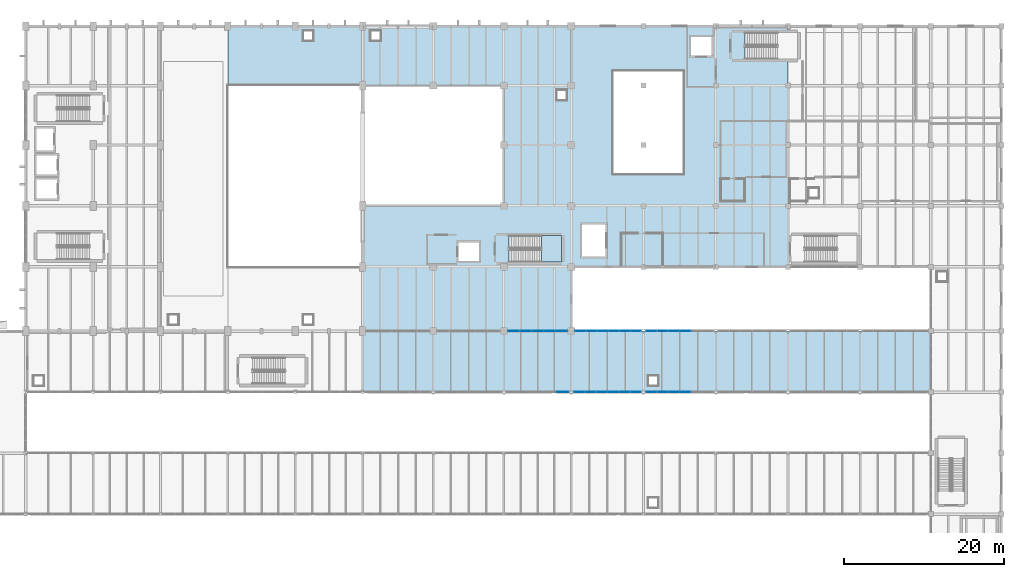
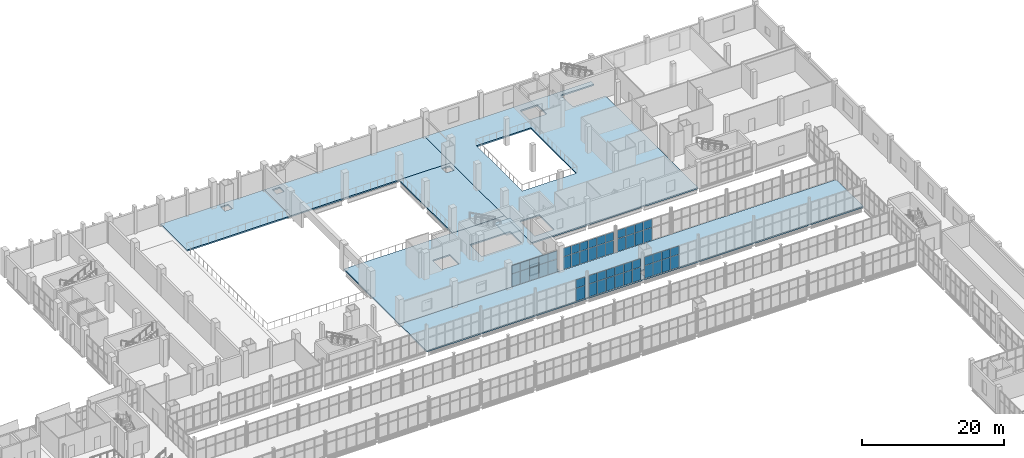
# One storey, part 136 of 172: 52 plates, 7 slabs, 7 elements without a shape of their own.
"""IFC4 building model written with IfcOpenShell, lengths in metres."""

from ifc_helpers import new_model, si_unit, direction, frame, origin, origin_2d, place, context, subcontext, project, spatial, polyline, rectangle, outline, extrude, material, layer, layer_set, type_object, element, aggregate, save


model = new_model("IFC4")

# Units and contexts
model_context = context("Model", 3, precision=1e-05, world=origin(), true_north=direction((0.0, 1.0)))
body_context = subcontext(model_context, "Body", "Model", "MODEL_VIEW")
ifc_project = project(units=[si_unit("LENGTHUNIT", "METRE"), si_unit("AREAUNIT", "SQUARE_METRE"), si_unit("VOLUMEUNIT", "CUBIC_METRE"), si_unit("PLANEANGLEUNIT", "RADIAN"), si_unit("MASSUNIT", "GRAM", prefix="KILO")], contexts=[model_context])

# Site, building, storey
site_placement = place(None, origin())
site = spatial("IfcSite", under=ifc_project, at=site_placement, CompositionType="ELEMENT")
building_placement = place(site_placement, origin())
building = spatial("IfcBuilding", under=site, at=building_placement, Name="Shengluoqiao Park Theatre", CompositionType="ELEMENT")
storey_placement = place(building_placement, frame((0.0, 0.0, 5.39990234375)))
storey = spatial("IfcBuildingStorey", under=building, at=storey_placement, Name="L01", CompositionType="ELEMENT", Elevation=5.39990234375)

# Curtain wall, plates
ifc_material_1 = material(Name="Aluminium 6063-T6", Category="aluminium")
curtain_wall_type = type_object("IfcCurtainWallType", Name="ENV-CW-BRIDGE", PredefinedType="NOTDEFINED", material=ifc_material_1)
curtain_wall_1_placement = place(storey_placement, origin())
curtain_wall_1 = element("IfcCurtainWall", 1, at=curtain_wall_1_placement, inside=storey, type_object=curtain_wall_type, Name="L01 Curtain Wall CWX-L01-0093", PredefinedType="NOTDEFINED")
ifc_material_2 = material(Name="Insulated glass", Category="glass")
ifc_layer_1 = layer(ifc_material_2, 0.0380859375, Name="Insulated glass")
ifc_layer_set_1 = layer_set([ifc_layer_1], Name="Insulated glass")
plate_type = type_object("IfcPlateType", Name="ENV-GLZ-GL-38", PredefinedType="CURTAIN_PANEL", material=ifc_layer_set_1)
plate_1_placement = place(storey_placement, frame((111.338623046875, 68.39990234375, 0.06005859375), z_axis=(0.0, 0.0, 1.0), x_axis=(1.0, 0.0, 0.0)))
plate_1 = element("IfcPlate", 2, at=plate_1_placement, type_object=plate_type, Name="CW-03 panel 5.1", PredefinedType="CURTAIN_PANEL", context=body_context, shape_type="SweptSolid", body=[
    extrude(rectangle(XDim=1.48681640625, YDim=0.0380859375, at=origin_2d()), origin(), (0.0, 0.0, 1.0), 2.173095703125),
])
plate_2_placement = place(storey_placement, frame((111.338623046875, 68.39990234375, 2.293212890625), z_axis=(0.0, 0.0, 1.0), x_axis=(1.0, 0.0, 0.0)))
plate_2 = element("IfcPlate", 3, at=plate_2_placement, type_object=plate_type, Name="CW-03 panel 5.2", PredefinedType="CURTAIN_PANEL", context=body_context, shape_type="SweptSolid", body=[
    extrude(rectangle(XDim=1.48681640625, YDim=0.0380859375, at=origin_2d()), origin(), (0.0, 0.0, 1.0), 1.4189453125),
])
aggregate(curtain_wall_1, [plate_1, plate_2])

curtain_wall_2_placement = place(storey_placement, origin())
curtain_wall_2 = element("IfcCurtainWall", 4, at=curtain_wall_2_placement, inside=storey, type_object=curtain_wall_type, Name="L01 Curtain Wall CWX-L01-0094", PredefinedType="NOTDEFINED")
plate_3_placement = place(storey_placement, frame((113.3798828125, 68.39990234375, 0.06005859375), z_axis=(0.0, 0.0, 1.0), x_axis=(1.0, 0.0, 0.0)))
plate_3 = element("IfcPlate", 5, at=plate_3_placement, type_object=plate_type, Name="CW-03 panel 1.1", PredefinedType="CURTAIN_PANEL", context=body_context, shape_type="SweptSolid", body=[
    extrude(rectangle(XDim=1.323974609375, YDim=0.0380859375, at=origin_2d()), origin(), (0.0, 0.0, 1.0), 2.173095703125),
])
plate_4_placement = place(storey_placement, frame((113.3798828125, 68.39990234375, 2.293212890625), z_axis=(0.0, 0.0, 1.0), x_axis=(1.0, 0.0, 0.0)))
plate_4 = element("IfcPlate", 6, at=plate_4_placement, type_object=plate_type, Name="CW-03 panel 1.2", PredefinedType="CURTAIN_PANEL", context=body_context, shape_type="SweptSolid", body=[
    extrude(rectangle(XDim=1.323974609375, YDim=0.0380859375, at=origin_2d()), origin(), (0.0, 0.0, 1.0), 1.4189453125),
])
plate_5_placement = place(storey_placement, frame((114.779052734375, 68.39990234375, 0.06005859375), z_axis=(0.0, 0.0, 1.0), x_axis=(1.0, 0.0, 0.0)))
plate_5 = element("IfcPlate", 7, at=plate_5_placement, type_object=plate_type, Name="CW-03 panel 2.1", PredefinedType="CURTAIN_PANEL", context=body_context, shape_type="SweptSolid", body=[
    extrude(rectangle(XDim=1.35400390625, YDim=0.0380859375, at=origin_2d()), origin(), (0.0, 0.0, 1.0), 2.173095703125),
])
plate_6_placement = place(storey_placement, frame((114.779052734375, 68.39990234375, 2.293212890625), z_axis=(0.0, 0.0, 1.0), x_axis=(1.0, 0.0, 0.0)))
plate_6 = element("IfcPlate", 8, at=plate_6_placement, type_object=plate_type, Name="CW-03 panel 2.2", PredefinedType="CURTAIN_PANEL", context=body_context, shape_type="SweptSolid", body=[
    extrude(rectangle(XDim=1.35400390625, YDim=0.0380859375, at=origin_2d()), origin(), (0.0, 0.0, 1.0), 1.4189453125),
])
plate_7_placement = place(storey_placement, frame((116.193115234375, 68.39990234375, 0.06005859375), z_axis=(0.0, 0.0, 1.0), x_axis=(1.0, 0.0, 0.0)))
plate_7 = element("IfcPlate", 9, at=plate_7_placement, type_object=plate_type, Name="CW-03 panel 3.1", PredefinedType="CURTAIN_PANEL", context=body_context, shape_type="SweptSolid", body=[
    extrude(rectangle(XDim=1.35400390625, YDim=0.0380859375, at=origin_2d()), origin(), (0.0, 0.0, 1.0), 2.173095703125),
])
plate_8_placement = place(storey_placement, frame((116.193115234375, 68.39990234375, 2.293212890625), z_axis=(0.0, 0.0, 1.0), x_axis=(1.0, 0.0, 0.0)))
plate_8 = element("IfcPlate", 10, at=plate_8_placement, type_object=plate_type, Name="CW-03 panel 3.2", PredefinedType="CURTAIN_PANEL", context=body_context, shape_type="SweptSolid", body=[
    extrude(rectangle(XDim=1.35400390625, YDim=0.0380859375, at=origin_2d()), origin(), (0.0, 0.0, 1.0), 1.4189453125),
])
plate_9_placement = place(storey_placement, frame((117.60693359375, 68.39990234375, 0.06005859375), z_axis=(0.0, 0.0, 1.0), x_axis=(1.0, 0.0, 0.0)))
plate_9 = element("IfcPlate", 11, at=plate_9_placement, type_object=plate_type, Name="CW-03 panel 4.1", PredefinedType="CURTAIN_PANEL", context=body_context, shape_type="SweptSolid", body=[
    extrude(rectangle(XDim=1.35400390625, YDim=0.0380859375, at=origin_2d()), origin(), (0.0, 0.0, 1.0), 2.173095703125),
])
plate_10_placement = place(storey_placement, frame((117.60693359375, 68.39990234375, 2.293212890625), z_axis=(0.0, 0.0, 1.0), x_axis=(1.0, 0.0, 0.0)))
plate_10 = element("IfcPlate", 12, at=plate_10_placement, type_object=plate_type, Name="CW-03 panel 4.2", PredefinedType="CURTAIN_PANEL", context=body_context, shape_type="SweptSolid", body=[
    extrude(rectangle(XDim=1.35400390625, YDim=0.0380859375, at=origin_2d()), origin(), (0.0, 0.0, 1.0), 1.4189453125),
])
plate_11_placement = place(storey_placement, frame((119.02099609375, 68.39990234375, 0.06005859375), z_axis=(0.0, 0.0, 1.0), x_axis=(1.0, 0.0, 0.0)))
plate_11 = element("IfcPlate", 13, at=plate_11_placement, type_object=plate_type, Name="CW-03 panel 5.1", PredefinedType="CURTAIN_PANEL", context=body_context, shape_type="SweptSolid", body=[
    extrude(rectangle(XDim=1.35400390625, YDim=0.0380859375, at=origin_2d()), origin(), (0.0, 0.0, 1.0), 2.173095703125),
])
plate_12_placement = place(storey_placement, frame((119.02099609375, 68.39990234375, 2.293212890625), z_axis=(0.0, 0.0, 1.0), x_axis=(1.0, 0.0, 0.0)))
plate_12 = element("IfcPlate", 14, at=plate_12_placement, type_object=plate_type, Name="CW-03 panel 5.2", PredefinedType="CURTAIN_PANEL", context=body_context, shape_type="SweptSolid", body=[
    extrude(rectangle(XDim=1.35400390625, YDim=0.0380859375, at=origin_2d()), origin(), (0.0, 0.0, 1.0), 1.4189453125),
])
plate_13_placement = place(storey_placement, frame((120.419921875, 68.39990234375, 0.06005859375), z_axis=(0.0, 0.0, 1.0), x_axis=(1.0, 0.0, 0.0)))
plate_13 = element("IfcPlate", 15, at=plate_13_placement, type_object=plate_type, Name="CW-03 panel 6.1", PredefinedType="CURTAIN_PANEL", context=body_context, shape_type="SweptSolid", body=[
    extrude(rectangle(XDim=1.323974609375, YDim=0.0380859375, at=origin_2d()), origin(), (0.0, 0.0, 1.0), 2.173095703125),
])
plate_14_placement = place(storey_placement, frame((120.419921875, 68.39990234375, 2.293212890625), z_axis=(0.0, 0.0, 1.0), x_axis=(1.0, 0.0, 0.0)))
plate_14 = element("IfcPlate", 16, at=plate_14_placement, type_object=plate_type, Name="CW-03 panel 6.2", PredefinedType="CURTAIN_PANEL", context=body_context, shape_type="SweptSolid", body=[
    extrude(rectangle(XDim=1.323974609375, YDim=0.0380859375, at=origin_2d()), origin(), (0.0, 0.0, 1.0), 1.4189453125),
])
aggregate(curtain_wall_2, [plate_3, plate_4, plate_5, plate_6, plate_7, plate_8, plate_9, plate_10, plate_11, plate_12, plate_13, plate_14])

curtain_wall_3_placement = place(storey_placement, origin())
curtain_wall_3 = element("IfcCurtainWall", 17, at=curtain_wall_3_placement, inside=storey, type_object=curtain_wall_type, Name="L01 Curtain Wall CWX-L01-0095", PredefinedType="NOTDEFINED")
plate_15_placement = place(storey_placement, frame((122.3798828125, 68.39990234375, 0.06005859375), z_axis=(0.0, 0.0, 1.0), x_axis=(1.0, 0.0, 0.0)))
plate_15 = element("IfcPlate", 18, at=plate_15_placement, type_object=plate_type, Name="CW-03 panel 1.1", PredefinedType="CURTAIN_PANEL", context=body_context, shape_type="SweptSolid", body=[
    extrude(rectangle(XDim=1.323974609375, YDim=0.0380859375, at=origin_2d()), origin(), (0.0, 0.0, 1.0), 2.173095703125),
])
plate_16_placement = place(storey_placement, frame((122.3798828125, 68.39990234375, 2.293212890625), z_axis=(0.0, 0.0, 1.0), x_axis=(1.0, 0.0, 0.0)))
plate_16 = element("IfcPlate", 19, at=plate_16_placement, type_object=plate_type, Name="CW-03 panel 1.2", PredefinedType="CURTAIN_PANEL", context=body_context, shape_type="SweptSolid", body=[
    extrude(rectangle(XDim=1.323974609375, YDim=0.0380859375, at=origin_2d()), origin(), (0.0, 0.0, 1.0), 1.4189453125),
])
plate_17_placement = place(storey_placement, frame((123.779052734375, 68.39990234375, 0.06005859375), z_axis=(0.0, 0.0, 1.0), x_axis=(1.0, 0.0, 0.0)))
plate_17 = element("IfcPlate", 20, at=plate_17_placement, type_object=plate_type, Name="CW-03 panel 2.1", PredefinedType="CURTAIN_PANEL", context=body_context, shape_type="SweptSolid", body=[
    extrude(rectangle(XDim=1.35400390625, YDim=0.0380859375, at=origin_2d()), origin(), (0.0, 0.0, 1.0), 2.173095703125),
])
plate_18_placement = place(storey_placement, frame((123.779052734375, 68.39990234375, 2.293212890625), z_axis=(0.0, 0.0, 1.0), x_axis=(1.0, 0.0, 0.0)))
plate_18 = element("IfcPlate", 21, at=plate_18_placement, type_object=plate_type, Name="CW-03 panel 2.2", PredefinedType="CURTAIN_PANEL", context=body_context, shape_type="SweptSolid", body=[
    extrude(rectangle(XDim=1.35400390625, YDim=0.0380859375, at=origin_2d()), origin(), (0.0, 0.0, 1.0), 1.4189453125),
])
plate_19_placement = place(storey_placement, frame((125.193115234375, 68.39990234375, 0.06005859375), z_axis=(0.0, 0.0, 1.0), x_axis=(1.0, 0.0, 0.0)))
plate_19 = element("IfcPlate", 22, at=plate_19_placement, type_object=plate_type, Name="CW-03 panel 3.1", PredefinedType="CURTAIN_PANEL", context=body_context, shape_type="SweptSolid", body=[
    extrude(rectangle(XDim=1.35400390625, YDim=0.0380859375, at=origin_2d()), origin(), (0.0, 0.0, 1.0), 2.173095703125),
])
plate_20_placement = place(storey_placement, frame((125.193115234375, 68.39990234375, 2.293212890625), z_axis=(0.0, 0.0, 1.0), x_axis=(1.0, 0.0, 0.0)))
plate_20 = element("IfcPlate", 23, at=plate_20_placement, type_object=plate_type, Name="CW-03 panel 3.2", PredefinedType="CURTAIN_PANEL", context=body_context, shape_type="SweptSolid", body=[
    extrude(rectangle(XDim=1.35400390625, YDim=0.0380859375, at=origin_2d()), origin(), (0.0, 0.0, 1.0), 1.4189453125),
])
plate_21_placement = place(storey_placement, frame((126.60693359375, 68.39990234375, 0.06005859375), z_axis=(0.0, 0.0, 1.0), x_axis=(1.0, 0.0, 0.0)))
plate_21 = element("IfcPlate", 24, at=plate_21_placement, type_object=plate_type, Name="CW-03 panel 4.1", PredefinedType="CURTAIN_PANEL", context=body_context, shape_type="SweptSolid", body=[
    extrude(rectangle(XDim=1.35400390625, YDim=0.0380859375, at=origin_2d()), origin(), (0.0, 0.0, 1.0), 2.173095703125),
])
plate_22_placement = place(storey_placement, frame((126.60693359375, 68.39990234375, 2.293212890625), z_axis=(0.0, 0.0, 1.0), x_axis=(1.0, 0.0, 0.0)))
plate_22 = element("IfcPlate", 25, at=plate_22_placement, type_object=plate_type, Name="CW-03 panel 4.2", PredefinedType="CURTAIN_PANEL", context=body_context, shape_type="SweptSolid", body=[
    extrude(rectangle(XDim=1.35400390625, YDim=0.0380859375, at=origin_2d()), origin(), (0.0, 0.0, 1.0), 1.4189453125),
])
aggregate(curtain_wall_3, [plate_15, plate_16, plate_17, plate_18, plate_19, plate_20, plate_21, plate_22])

curtain_wall_4_placement = place(storey_placement, origin())
curtain_wall_4 = element("IfcCurtainWall", 26, at=curtain_wall_4_placement, inside=storey, type_object=curtain_wall_type, Name="L01 Curtain Wall CWX-L01-0101", PredefinedType="NOTDEFINED")
plate_23_placement = place(storey_placement, frame((105.21826171875, 76.0, 0.06005859375), z_axis=(0.0, 0.0, 1.0), x_axis=(1.0, 0.0, 0.0)))
plate_23 = element("IfcPlate", 27, at=plate_23_placement, type_object=plate_type, Name="CW-03 panel 1.1", PredefinedType="CURTAIN_PANEL", context=body_context, shape_type="SweptSolid", body=[
    extrude(rectangle(XDim=1.408447265625, YDim=0.0380859375, at=origin_2d()), origin(), (0.0, 0.0, 1.0), 2.14892578125),
])
plate_24_placement = place(storey_placement, frame((105.21826171875, 76.0, 2.26904296875), z_axis=(0.0, 0.0, 1.0), x_axis=(1.0, 0.0, 0.0)))
plate_24 = element("IfcPlate", 28, at=plate_24_placement, type_object=plate_type, Name="CW-03 panel 1.2", PredefinedType="CURTAIN_PANEL", context=body_context, shape_type="SweptSolid", body=[
    extrude(rectangle(XDim=1.408447265625, YDim=0.0380859375, at=origin_2d()), origin(), (0.0, 0.0, 1.0), 1.403076171875),
])
plate_25_placement = place(storey_placement, frame((106.70166015625, 76.0, 0.06005859375), z_axis=(0.0, 0.0, 1.0), x_axis=(1.0, 0.0, 0.0)))
plate_25 = element("IfcPlate", 29, at=plate_25_placement, type_object=plate_type, Name="CW-03 panel 2.1", PredefinedType="CURTAIN_PANEL", context=body_context, shape_type="SweptSolid", body=[
    extrude(rectangle(XDim=1.4384765625, YDim=0.0380859375, at=origin_2d()), origin(), (0.0, 0.0, 1.0), 2.14892578125),
])
plate_26_placement = place(storey_placement, frame((106.70166015625, 76.0, 2.26904296875), z_axis=(0.0, 0.0, 1.0), x_axis=(1.0, 0.0, 0.0)))
plate_26 = element("IfcPlate", 30, at=plate_26_placement, type_object=plate_type, Name="CW-03 panel 2.2", PredefinedType="CURTAIN_PANEL", context=body_context, shape_type="SweptSolid", body=[
    extrude(rectangle(XDim=1.4384765625, YDim=0.0380859375, at=origin_2d()), origin(), (0.0, 0.0, 1.0), 1.403076171875),
])
plate_27_placement = place(storey_placement, frame((108.199951171875, 76.0, 0.06005859375), z_axis=(0.0, 0.0, 1.0), x_axis=(1.0, 0.0, 0.0)))
plate_27 = element("IfcPlate", 31, at=plate_27_placement, type_object=plate_type, Name="CW-03 panel 3.1", PredefinedType="CURTAIN_PANEL", context=body_context, shape_type="SweptSolid", body=[
    extrude(rectangle(XDim=1.4384765625, YDim=0.0380859375, at=origin_2d()), origin(), (0.0, 0.0, 1.0), 2.14892578125),
])
plate_28_placement = place(storey_placement, frame((108.199951171875, 76.0, 2.26904296875), z_axis=(0.0, 0.0, 1.0), x_axis=(1.0, 0.0, 0.0)))
plate_28 = element("IfcPlate", 32, at=plate_28_placement, type_object=plate_type, Name="CW-03 panel 3.2", PredefinedType="CURTAIN_PANEL", context=body_context, shape_type="SweptSolid", body=[
    extrude(rectangle(XDim=1.4384765625, YDim=0.0380859375, at=origin_2d()), origin(), (0.0, 0.0, 1.0), 1.403076171875),
])
plate_29_placement = place(storey_placement, frame((109.698486328125, 76.0, 0.06005859375), z_axis=(0.0, 0.0, 1.0), x_axis=(1.0, 0.0, 0.0)))
plate_29 = element("IfcPlate", 33, at=plate_29_placement, type_object=plate_type, Name="CW-03 panel 4.1", PredefinedType="CURTAIN_PANEL", context=body_context, shape_type="SweptSolid", body=[
    extrude(rectangle(XDim=1.4384765625, YDim=0.0380859375, at=origin_2d()), origin(), (0.0, 0.0, 1.0), 2.14892578125),
])
plate_30_placement = place(storey_placement, frame((109.698486328125, 76.0, 2.26904296875), z_axis=(0.0, 0.0, 1.0), x_axis=(1.0, 0.0, 0.0)))
plate_30 = element("IfcPlate", 34, at=plate_30_placement, type_object=plate_type, Name="CW-03 panel 4.2", PredefinedType="CURTAIN_PANEL", context=body_context, shape_type="SweptSolid", body=[
    extrude(rectangle(XDim=1.4384765625, YDim=0.0380859375, at=origin_2d()), origin(), (0.0, 0.0, 1.0), 1.403076171875),
])
plate_31_placement = place(storey_placement, frame((111.181884765625, 76.0, 0.06005859375), z_axis=(0.0, 0.0, 1.0), x_axis=(1.0, 0.0, 0.0)))
plate_31 = element("IfcPlate", 35, at=plate_31_placement, type_object=plate_type, Name="CW-03 panel 5.1", PredefinedType="CURTAIN_PANEL", context=body_context, shape_type="SweptSolid", body=[
    extrude(rectangle(XDim=1.408447265625, YDim=0.0380859375, at=origin_2d()), origin(), (0.0, 0.0, 1.0), 2.14892578125),
])
plate_32_placement = place(storey_placement, frame((111.181884765625, 76.0, 2.26904296875), z_axis=(0.0, 0.0, 1.0), x_axis=(1.0, 0.0, 0.0)))
plate_32 = element("IfcPlate", 36, at=plate_32_placement, type_object=plate_type, Name="CW-03 panel 5.2", PredefinedType="CURTAIN_PANEL", context=body_context, shape_type="SweptSolid", body=[
    extrude(rectangle(XDim=1.408447265625, YDim=0.0380859375, at=origin_2d()), origin(), (0.0, 0.0, 1.0), 1.403076171875),
])
aggregate(curtain_wall_4, [plate_23, plate_24, plate_25, plate_26, plate_27, plate_28, plate_29, plate_30, plate_31, plate_32])

curtain_wall_5_placement = place(storey_placement, origin())
curtain_wall_5 = element("IfcCurtainWall", 37, at=curtain_wall_5_placement, inside=storey, type_object=curtain_wall_type, Name="L01 Curtain Wall CWX-L01-0102", PredefinedType="NOTDEFINED")
plate_33_placement = place(storey_placement, frame((113.5595703125, 76.0, 0.06005859375), z_axis=(0.0, 0.0, 1.0), x_axis=(1.0, 0.0, 0.0)))
plate_33 = element("IfcPlate", 38, at=plate_33_placement, type_object=plate_type, Name="CW-03 panel 1.1", PredefinedType="CURTAIN_PANEL", context=body_context, shape_type="SweptSolid", body=[
    extrude(rectangle(XDim=1.291259765625, YDim=0.0380859375, at=origin_2d()), origin(), (0.0, 0.0, 1.0), 2.14892578125),
])
plate_34_placement = place(storey_placement, frame((113.5595703125, 76.0, 2.26904296875), z_axis=(0.0, 0.0, 1.0), x_axis=(1.0, 0.0, 0.0)))
plate_34 = element("IfcPlate", 39, at=plate_34_placement, type_object=plate_type, Name="CW-03 panel 1.2", PredefinedType="CURTAIN_PANEL", context=body_context, shape_type="SweptSolid", body=[
    extrude(rectangle(XDim=1.291259765625, YDim=0.0380859375, at=origin_2d()), origin(), (0.0, 0.0, 1.0), 1.403076171875),
])
plate_35_placement = place(storey_placement, frame((114.926025390625, 76.0, 0.06005859375), z_axis=(0.0, 0.0, 1.0), x_axis=(1.0, 0.0, 0.0)))
plate_35 = element("IfcPlate", 40, at=plate_35_placement, type_object=plate_type, Name="CW-03 panel 2.1", PredefinedType="CURTAIN_PANEL", context=body_context, shape_type="SweptSolid", body=[
    extrude(rectangle(XDim=1.3212890625, YDim=0.0380859375, at=origin_2d()), origin(), (0.0, 0.0, 1.0), 2.14892578125),
])
plate_36_placement = place(storey_placement, frame((114.926025390625, 76.0, 2.26904296875), z_axis=(0.0, 0.0, 1.0), x_axis=(1.0, 0.0, 0.0)))
plate_36 = element("IfcPlate", 41, at=plate_36_placement, type_object=plate_type, Name="CW-03 panel 2.2", PredefinedType="CURTAIN_PANEL", context=body_context, shape_type="SweptSolid", body=[
    extrude(rectangle(XDim=1.3212890625, YDim=0.0380859375, at=origin_2d()), origin(), (0.0, 0.0, 1.0), 1.403076171875),
])
plate_37_placement = place(storey_placement, frame((116.307373046875, 76.0, 0.06005859375), z_axis=(0.0, 0.0, 1.0), x_axis=(1.0, 0.0, 0.0)))
plate_37 = element("IfcPlate", 42, at=plate_37_placement, type_object=plate_type, Name="CW-03 panel 3.1", PredefinedType="CURTAIN_PANEL", context=body_context, shape_type="SweptSolid", body=[
    extrude(rectangle(XDim=1.3212890625, YDim=0.0380859375, at=origin_2d()), origin(), (0.0, 0.0, 1.0), 2.14892578125),
])
plate_38_placement = place(storey_placement, frame((116.307373046875, 76.0, 2.26904296875), z_axis=(0.0, 0.0, 1.0), x_axis=(1.0, 0.0, 0.0)))
plate_38 = element("IfcPlate", 43, at=plate_38_placement, type_object=plate_type, Name="CW-03 panel 3.2", PredefinedType="CURTAIN_PANEL", context=body_context, shape_type="SweptSolid", body=[
    extrude(rectangle(XDim=1.3212890625, YDim=0.0380859375, at=origin_2d()), origin(), (0.0, 0.0, 1.0), 1.403076171875),
])
plate_39_placement = place(storey_placement, frame((117.688720703125, 76.0, 0.06005859375), z_axis=(0.0, 0.0, 1.0), x_axis=(1.0, 0.0, 0.0)))
plate_39 = element("IfcPlate", 44, at=plate_39_placement, type_object=plate_type, Name="CW-03 panel 4.1", PredefinedType="CURTAIN_PANEL", context=body_context, shape_type="SweptSolid", body=[
    extrude(rectangle(XDim=1.3212890625, YDim=0.0380859375, at=origin_2d()), origin(), (0.0, 0.0, 1.0), 2.14892578125),
])
plate_40_placement = place(storey_placement, frame((117.688720703125, 76.0, 2.26904296875), z_axis=(0.0, 0.0, 1.0), x_axis=(1.0, 0.0, 0.0)))
plate_40 = element("IfcPlate", 45, at=plate_40_placement, type_object=plate_type, Name="CW-03 panel 4.2", PredefinedType="CURTAIN_PANEL", context=body_context, shape_type="SweptSolid", body=[
    extrude(rectangle(XDim=1.3212890625, YDim=0.0380859375, at=origin_2d()), origin(), (0.0, 0.0, 1.0), 1.403076171875),
])
plate_41_placement = place(storey_placement, frame((119.070068359375, 76.0, 0.06005859375), z_axis=(0.0, 0.0, 1.0), x_axis=(1.0, 0.0, 0.0)))
plate_41 = element("IfcPlate", 46, at=plate_41_placement, type_object=plate_type, Name="CW-03 panel 5.1", PredefinedType="CURTAIN_PANEL", context=body_context, shape_type="SweptSolid", body=[
    extrude(rectangle(XDim=1.3212890625, YDim=0.0380859375, at=origin_2d()), origin(), (0.0, 0.0, 1.0), 2.14892578125),
])
plate_42_placement = place(storey_placement, frame((119.070068359375, 76.0, 2.26904296875), z_axis=(0.0, 0.0, 1.0), x_axis=(1.0, 0.0, 0.0)))
plate_42 = element("IfcPlate", 47, at=plate_42_placement, type_object=plate_type, Name="CW-03 panel 5.2", PredefinedType="CURTAIN_PANEL", context=body_context, shape_type="SweptSolid", body=[
    extrude(rectangle(XDim=1.3212890625, YDim=0.0380859375, at=origin_2d()), origin(), (0.0, 0.0, 1.0), 1.403076171875),
])
plate_43_placement = place(storey_placement, frame((120.436279296875, 76.0, 0.06005859375), z_axis=(0.0, 0.0, 1.0), x_axis=(1.0, 0.0, 0.0)))
plate_43 = element("IfcPlate", 48, at=plate_43_placement, type_object=plate_type, Name="CW-03 panel 6.1", PredefinedType="CURTAIN_PANEL", context=body_context, shape_type="SweptSolid", body=[
    extrude(rectangle(XDim=1.291259765625, YDim=0.0380859375, at=origin_2d()), origin(), (0.0, 0.0, 1.0), 2.14892578125),
])
plate_44_placement = place(storey_placement, frame((120.436279296875, 76.0, 2.26904296875), z_axis=(0.0, 0.0, 1.0), x_axis=(1.0, 0.0, 0.0)))
plate_44 = element("IfcPlate", 49, at=plate_44_placement, type_object=plate_type, Name="CW-03 panel 6.2", PredefinedType="CURTAIN_PANEL", context=body_context, shape_type="SweptSolid", body=[
    extrude(rectangle(XDim=1.291259765625, YDim=0.0380859375, at=origin_2d()), origin(), (0.0, 0.0, 1.0), 1.403076171875),
])
aggregate(curtain_wall_5, [plate_33, plate_34, plate_35, plate_36, plate_37, plate_38, plate_39, plate_40, plate_41, plate_42, plate_43, plate_44])

curtain_wall_6_placement = place(storey_placement, origin())
curtain_wall_6 = element("IfcCurtainWall", 50, at=curtain_wall_6_placement, inside=storey, type_object=curtain_wall_type, Name="L01 Curtain Wall CWX-L01-0103", PredefinedType="NOTDEFINED")
plate_45_placement = place(storey_placement, frame((122.3798828125, 76.0, 0.06005859375), z_axis=(0.0, 0.0, 1.0), x_axis=(1.0, 0.0, 0.0)))
plate_45 = element("IfcPlate", 51, at=plate_45_placement, type_object=plate_type, Name="CW-03 panel 1.1", PredefinedType="CURTAIN_PANEL", context=body_context, shape_type="SweptSolid", body=[
    extrude(rectangle(XDim=1.323974609375, YDim=0.0380859375, at=origin_2d()), origin(), (0.0, 0.0, 1.0), 2.173095703125),
])
plate_46_placement = place(storey_placement, frame((122.3798828125, 76.0, 2.293212890625), z_axis=(0.0, 0.0, 1.0), x_axis=(1.0, 0.0, 0.0)))
plate_46 = element("IfcPlate", 52, at=plate_46_placement, type_object=plate_type, Name="CW-03 panel 1.2", PredefinedType="CURTAIN_PANEL", context=body_context, shape_type="SweptSolid", body=[
    extrude(rectangle(XDim=1.323974609375, YDim=0.0380859375, at=origin_2d()), origin(), (0.0, 0.0, 1.0), 1.4189453125),
])
plate_47_placement = place(storey_placement, frame((123.779052734375, 76.0, 0.06005859375), z_axis=(0.0, 0.0, 1.0), x_axis=(1.0, 0.0, 0.0)))
plate_47 = element("IfcPlate", 53, at=plate_47_placement, type_object=plate_type, Name="CW-03 panel 2.1", PredefinedType="CURTAIN_PANEL", context=body_context, shape_type="SweptSolid", body=[
    extrude(rectangle(XDim=1.35400390625, YDim=0.0380859375, at=origin_2d()), origin(), (0.0, 0.0, 1.0), 2.173095703125),
])
plate_48_placement = place(storey_placement, frame((123.779052734375, 76.0, 2.293212890625), z_axis=(0.0, 0.0, 1.0), x_axis=(1.0, 0.0, 0.0)))
plate_48 = element("IfcPlate", 54, at=plate_48_placement, type_object=plate_type, Name="CW-03 panel 2.2", PredefinedType="CURTAIN_PANEL", context=body_context, shape_type="SweptSolid", body=[
    extrude(rectangle(XDim=1.35400390625, YDim=0.0380859375, at=origin_2d()), origin(), (0.0, 0.0, 1.0), 1.4189453125),
])
plate_49_placement = place(storey_placement, frame((125.193115234375, 76.0, 0.06005859375), z_axis=(0.0, 0.0, 1.0), x_axis=(1.0, 0.0, 0.0)))
plate_49 = element("IfcPlate", 55, at=plate_49_placement, type_object=plate_type, Name="CW-03 panel 3.1", PredefinedType="CURTAIN_PANEL", context=body_context, shape_type="SweptSolid", body=[
    extrude(rectangle(XDim=1.35400390625, YDim=0.0380859375, at=origin_2d()), origin(), (0.0, 0.0, 1.0), 2.173095703125),
])
plate_50_placement = place(storey_placement, frame((125.193115234375, 76.0, 2.293212890625), z_axis=(0.0, 0.0, 1.0), x_axis=(1.0, 0.0, 0.0)))
plate_50 = element("IfcPlate", 56, at=plate_50_placement, type_object=plate_type, Name="CW-03 panel 3.2", PredefinedType="CURTAIN_PANEL", context=body_context, shape_type="SweptSolid", body=[
    extrude(rectangle(XDim=1.35400390625, YDim=0.0380859375, at=origin_2d()), origin(), (0.0, 0.0, 1.0), 1.4189453125),
])
plate_51_placement = place(storey_placement, frame((126.60693359375, 76.0, 0.06005859375), z_axis=(0.0, 0.0, 1.0), x_axis=(1.0, 0.0, 0.0)))
plate_51 = element("IfcPlate", 57, at=plate_51_placement, type_object=plate_type, Name="CW-03 panel 4.1", PredefinedType="CURTAIN_PANEL", context=body_context, shape_type="SweptSolid", body=[
    extrude(rectangle(XDim=1.35400390625, YDim=0.0380859375, at=origin_2d()), origin(), (0.0, 0.0, 1.0), 2.173095703125),
])
plate_52_placement = place(storey_placement, frame((126.60693359375, 76.0, 2.293212890625), z_axis=(0.0, 0.0, 1.0), x_axis=(1.0, 0.0, 0.0)))
plate_52 = element("IfcPlate", 58, at=plate_52_placement, type_object=plate_type, Name="CW-03 panel 4.2", PredefinedType="CURTAIN_PANEL", context=body_context, shape_type="SweptSolid", body=[
    extrude(rectangle(XDim=1.35400390625, YDim=0.0380859375, at=origin_2d()), origin(), (0.0, 0.0, 1.0), 1.4189453125),
])
aggregate(curtain_wall_6, [plate_45, plate_46, plate_47, plate_48, plate_49, plate_50, plate_51, plate_52])

# Stair, slab
ifc_material_3 = material(Name="Concrete C40", Category="concrete")
stair_type = type_object("IfcStairType", Name="INT-STR-CORE", PredefinedType="HALF_TURN_STAIR", material=ifc_material_3)
stair_placement = place(storey_placement, origin())
stair = element("IfcStair", 59, at=stair_placement, inside=storey, type_object=stair_type, Name="L01 Stage and Fly Tower Escape Stair 05", PredefinedType="HALF_TURN_STAIR")
ifc_layer_2 = layer(ifc_material_3, 0.199951171875, Name="Concrete C40")
ifc_layer_set_2 = layer_set([ifc_layer_2], Name="Concrete C40")
slab_type_1 = type_object("IfcSlabType", Name="INT-LND-SL-200", PredefinedType="LANDING", material=ifc_layer_set_2)
slab_1_placement = place(storey_placement, frame((0.0, 0.0, 2.10009765625)))
slab_1 = element("IfcSlab", 60, at=slab_1_placement, type_object=slab_type_1, Name="ST-05 landing 1", PredefinedType="LANDING", context=body_context, shape_type="SweptSolid", body=[
    extrude(outline(polyline([(108.7099609375, 84.60009765625), (111.199951171875, 84.60009765625), (111.199951171875, 87.89990234375), (108.7099609375, 87.89990234375), (108.7099609375, 84.60009765625)])), origin(), (0.0, 0.0, 1.0), 0.199951171875),
])
aggregate(stair, [slab_1])

# Slabs
ifc_material_4 = material(Name="Concrete C35", Category="concrete")
ifc_layer_3 = layer(ifc_material_4, 0.2099609375, Name="Concrete C35")
ifc_layer_set_3 = layer_set([ifc_layer_3], Name="Concrete C35")
slab_type_2 = type_object("IfcSlabType", Name="STR-SLB-BRG210", PredefinedType="FLOOR", material=ifc_layer_set_3)
slab_2_placement = place(storey_placement, frame((0.0, 0.0, -0.2099609375)))
element("IfcSlab", 61, at=slab_2_placement, inside=storey, type_object=slab_type_2, Name="Park-Court Link Bridge Slab", PredefinedType="FLOOR", context=body_context, shape_type="SweptSolid", body=[
    extrude(outline(polyline([(86.39990234375, 68.39990234375), (86.39990234375, 76.0), (157.199951171875, 76.0), (157.199951171875, 68.39990234375), (86.39990234375, 68.39990234375)]), holes=[polyline([(123.219970703125, 69.199951171875), (123.219970703125, 70.419921875), (122.0, 70.419921875), (122.0, 69.199951171875), (123.219970703125, 69.199951171875)])]), origin(), (0.0, 0.0, 1.0), 0.2099609375),
])
ifc_layer_4 = layer(ifc_material_4, 0.25, Name="Concrete C35")
ifc_layer_set_4 = layer_set([ifc_layer_4], Name="Concrete C35")
slab_type_3 = type_object("IfcSlabType", Name="STR-SLB-CAT250", PredefinedType="FLOOR", material=ifc_layer_set_4)
slab_3_placement = place(storey_placement, frame((0.0, 0.0, -0.25)))
element("IfcSlab", 62, at=slab_3_placement, inside=storey, type_object=slab_type_3, Name="Floor Slab L01-V1-BOXN", PredefinedType="FLOOR", context=body_context, shape_type="SweptSolid", body=[
    extrude(outline(polyline([(69.60009765625, 106.60009765625), (69.60009765625, 114.0), (86.39990234375, 114.0), (86.39990234375, 106.60009765625), (69.60009765625, 106.60009765625)]), holes=[polyline([(79.0, 112.199951171875), (80.219970703125, 112.199951171875), (80.219970703125, 113.419921875), (79.0, 113.419921875), (79.0, 112.199951171875)])]), origin(), (0.0, 0.0, 1.0), 0.25),
])
ifc_layer_5 = layer(ifc_material_4, 0.239990234375, Name="Concrete C35")
ifc_layer_set_5 = layer_set([ifc_layer_5], Name="Concrete C35")
slab_type_4 = type_object("IfcSlabType", Name="STR-SLB-FL240", PredefinedType="FLOOR", material=ifc_layer_set_5)
slab_4_placement = place(storey_placement, frame((0.0, 0.0, -0.239990234375)))
element("IfcSlab", 63, at=slab_4_placement, inside=storey, type_object=slab_type_4, Name="Floor Slab L01-V2-FLYS", PredefinedType="FLOOR", context=body_context, shape_type="SweptSolid", body=[
    extrude(outline(polyline([(86.39990234375, 76.0), (86.39990234375, 91.60009765625), (112.39990234375, 91.60009765625), (112.39990234375, 76.0), (86.39990234375, 76.0)]), holes=[polyline([(98.199951171875, 84.60009765625), (101.0, 84.60009765625), (101.0, 87.199951171875), (98.199951171875, 87.199951171875), (98.199951171875, 84.60009765625)]), polyline([(104.654052734375, 84.60009765625), (111.199951171875, 84.60009765625), (111.199951171875, 87.89990234375), (104.654052734375, 87.89990234375), (104.654052734375, 84.60009765625)])]), origin(), (0.0, 0.0, 1.0), 0.239990234375),
])
slab_5_placement = place(storey_placement, frame((0.0, 0.0, -0.239990234375)))
element("IfcSlab", 64, at=slab_5_placement, inside=storey, type_object=slab_type_4, Name="Floor Slab L01-V2-FLYN", PredefinedType="FLOOR", context=body_context, shape_type="SweptSolid", body=[
    extrude(outline(polyline([(86.39990234375, 106.60009765625), (86.39990234375, 114.0), (112.39990234375, 114.0), (112.39990234375, 106.60009765625), (86.39990234375, 106.60009765625)]), holes=[polyline([(87.39990234375, 112.199951171875), (88.6201171875, 112.199951171875), (88.6201171875, 113.419921875), (87.39990234375, 113.419921875), (87.39990234375, 112.199951171875)])]), origin(), (0.0, 0.0, 1.0), 0.239990234375),
])
slab_6_placement = place(storey_placement, frame((0.0, 0.0, -0.239990234375)))
element("IfcSlab", 65, at=slab_6_placement, inside=storey, type_object=slab_type_4, Name="Floor Slab L01-V2-FLYE", PredefinedType="FLOOR", context=body_context, shape_type="SweptSolid", body=[
    extrude(outline(polyline([(104.0, 91.60009765625), (104.0, 106.60009765625), (112.39990234375, 106.60009765625), (112.39990234375, 91.60009765625), (104.0, 91.60009765625)]), holes=[polyline([(111.820068359375, 104.800048828125), (111.820068359375, 106.02001953125), (110.60009765625, 106.02001953125), (110.60009765625, 104.800048828125), (111.820068359375, 104.800048828125)])]), origin(), (0.0, 0.0, 1.0), 0.239990234375),
])
slab_7_placement = place(storey_placement, frame((0.0, 0.0, -0.239990234375)))
element("IfcSlab", 66, at=slab_7_placement, inside=storey, type_object=slab_type_4, Name="Floor Slab L01-V6-NE1", PredefinedType="FLOOR", context=body_context, shape_type="SweptSolid", body=[
    extrude(outline(polyline([(139.39990234375, 84.0), (112.39990234375, 84.0), (112.39990234375, 114.0), (139.39990234375, 114.0), (139.39990234375, 113.199951171875), (134.053955078125, 113.199951171875), (134.053955078125, 109.89990234375), (139.39990234375, 109.89990234375), (139.39990234375, 84.0)]), holes=[polyline([(116.800048828125, 85.199951171875), (116.800048828125, 89.39990234375), (113.60009765625, 89.39990234375), (113.60009765625, 85.199951171875), (116.800048828125, 85.199951171875)]), polyline([(117.60009765625, 95.60009765625), (126.39990234375, 95.60009765625), (126.39990234375, 108.39990234375), (117.60009765625, 108.39990234375), (117.60009765625, 95.60009765625)]), polyline([(130.0, 110.199951171875), (130.0, 112.800048828125), (127.199951171875, 112.800048828125), (127.199951171875, 110.199951171875), (130.0, 110.199951171875)])]), origin(), (0.0, 0.0, 1.0), 0.239990234375),
])

save(model, "model.ifc")
